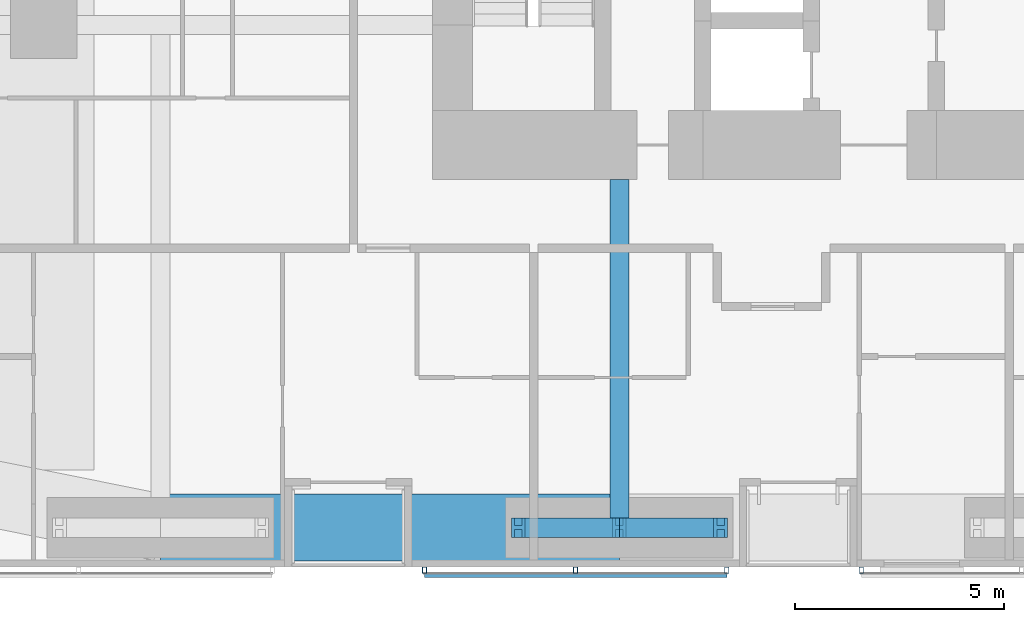
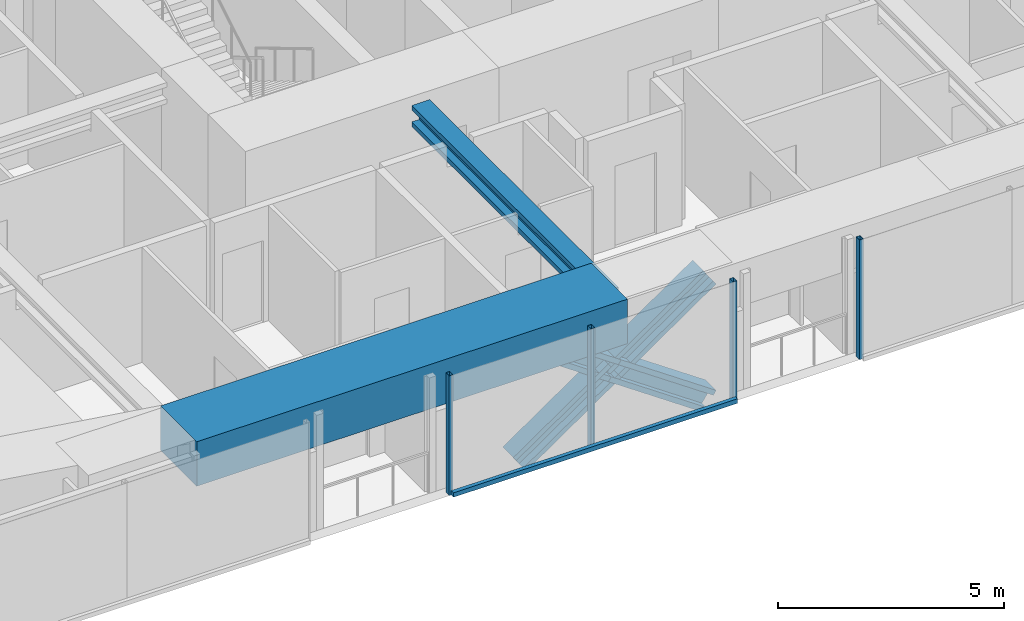
# One storey, part 4 of 23: 9 members, 2 beams, 2 elements without a shape of their own.
"""IFC4 building model written with IfcOpenShell, lengths in metres."""

from ifc_helpers import new_model, si_unit, direction, frame, origin, origin_2d, place, context, subcontext, project, spatial, rectangle, hollow_rectangle, i_section, extrude, material, material_profile, profile_set, type_object, element, aggregate, save


model = new_model("IFC4")

# Units and contexts
model_context = context("Model", 3, precision=1e-05, world=origin(), true_north=direction((0.0, 1.0)))
body_context = subcontext(model_context, "Body", "Model", "MODEL_VIEW")
ifc_project = project(units=[si_unit("LENGTHUNIT", "METRE"), si_unit("AREAUNIT", "SQUARE_METRE"), si_unit("VOLUMEUNIT", "CUBIC_METRE"), si_unit("PLANEANGLEUNIT", "RADIAN"), si_unit("MASSUNIT", "GRAM", prefix="KILO")], contexts=[model_context])

# Site, building, storey
site_placement = place(None, origin())
site = spatial("IfcSite", under=ifc_project, at=site_placement, CompositionType="ELEMENT")
building_placement = place(site_placement, origin())
building = spatial("IfcBuilding", under=site, at=building_placement, Name="Jalousie Tower", CompositionType="ELEMENT")
storey_placement = place(building_placement, frame((0.0, 0.0, 27.699951171875)))
storey = spatial("IfcBuildingStorey", under=building, at=storey_placement, Name="L06", CompositionType="ELEMENT", Elevation=27.699951171875)

# Beam
ifc_material_1 = material(Name="Steel ASTM A992 Grade 50", Category="steel")
ifc_material_profile_1 = material_profile(ifc_material_1, i_section(OverallWidth=0.45458984375, OverallDepth=0.569091796875, WebThickness=0.077880859375, FlangeThickness=0.124755859375, at=origin_2d()), Name="W14X730")
ifc_profile_set_1 = profile_set([ifc_material_profile_1], Name="Steel ASTM A992 Grade 50")
beam_type_1 = type_object("IfcBeamType", Name="LEAN COLLECTOR W14X730", PredefinedType="BEAM", material=ifc_profile_set_1)
beam_1_placement = place(storey_placement, frame((24.0, 0.949951171875, 2.825439453125), z_axis=(0.0, 1.0, 0.0), x_axis=(-1.0, 0.0, 0.0)))
element("IfcBeam", 1, at=beam_1_placement, inside=storey, type_object=beam_type_1, Name="Lean collector under L07", PredefinedType="BEAM", context=body_context, shape_type="SweptSolid", body=[
    extrude(i_section(OverallWidth=0.45458984375, OverallDepth=0.569091796875, WebThickness=0.077880859375, FlangeThickness=0.124755859375, at=origin_2d()), origin(), (0.0, 0.0, 1.0), 8.35009765625),
])

# Members
ifc_material_2 = material(Name="Steel ASTM A992 Grade 50", Category="steel")
ifc_material_profile_2 = material_profile(ifc_material_2, i_section(OverallWidth=0.472412109375, OverallDepth=0.5791015625, WebThickness=0.094970703125, FlangeThickness=0.1298828125, at=origin_2d()), Name="W14X808")
ifc_profile_set_2 = profile_set([ifc_material_profile_2], Name="Steel ASTM A992 Grade 50")
member_type_1 = type_object("IfcMemberType", Name="PERIMETER BRACE W14X808", PredefinedType="BRACE", material=ifc_profile_set_2)
for number, where, z_axis, x_axis, name in (
    (2, (21.574951171875, 0.949951171875, -0.599853515625), (0.82283879777, 0.0, 0.568274856811), (0.0, 1.0, 0.0), "Perimeter brace 03 L06 part 1"),
    (3, (24.0, 0.949951171875, 1.074951171875), (0.822800062329, 0.0, 0.568330940062), (0.0, 1.0, 0.0), "Perimeter brace 03 L06 part 2"),
    (4, (26.425048828125, 0.949951171875, -0.599853515625), (-0.82283879777, 0.0, 0.568274856811), (0.0, -1.0, 0.0), "Perimeter brace 03 L06 part 3"),
    (5, (24.0, 0.949951171875, 1.074951171875), (-0.822800062329, 0.0, 0.568330940062), (0.0, -1.0, 0.0), "Perimeter brace 03 L06 part 4"),
):
    element("IfcMember", number, at=place(storey_placement, frame(where, z_axis=z_axis, x_axis=x_axis)), inside=storey, type_object=member_type_1, Name=name, PredefinedType="BRACE", context=body_context, shape_type="SweptSolid", body=[
        extrude(i_section(OverallWidth=0.472412109375, OverallDepth=0.5791015625, WebThickness=0.094970703125, FlangeThickness=0.1298828125, at=origin_2d()), origin(), (0.0, 0.0, 1.0), 2.947265625),
    ])

# Beam
ifc_material_3 = material(Name="Concrete f'c 40 MPa", Category="concrete")
ifc_material_profile_3 = material_profile(ifc_material_3, rectangle(XDim=1.60009765625, YDim=1.199951171875, at=origin_2d()), Name="RC 1600x1200")
ifc_profile_set_3 = profile_set([ifc_material_profile_3], Name="Concrete f'c 40 MPa")
beam_type_2 = type_object("IfcBeamType", Name="RC BEAM 1600x1200", PredefinedType="BEAM", material=ifc_profile_set_3)
beam_2_placement = place(storey_placement, frame((13.0, 0.949951171875, 2.75), z_axis=(1.0, 0.0, 0.0), x_axis=(0.0, 1.0, 0.0)))
element("IfcBeam", 6, at=beam_2_placement, inside=storey, type_object=beam_type_2, Name="Edge band beam 02-03 under L07", PredefinedType="BEAM", context=body_context, shape_type="SweptSolid", body=[
    extrude(rectangle(XDim=1.60009765625, YDim=1.199951171875, at=origin_2d()), origin(), (0.0, 0.0, 1.0), 11.0),
])

# Curtain wall, members
ifc_material_4 = material(Name="Perforated aluminium sheet", Category="aluminium")
curtain_wall_type = type_object("IfcCurtainWallType", Name="SOLAR SCREEN SS-1", PredefinedType="USERDEFINED", material=ifc_material_4)
curtain_wall_1_placement = place(storey_placement, origin())
curtain_wall_1 = element("IfcCurtainWall", 7, at=curtain_wall_1_placement, inside=storey, type_object=curtain_wall_type, Name="Solar screen L06", ObjectType="SOLAR SCREEN SS-1", PredefinedType="USERDEFINED")
ifc_material_5 = material(Name="Steel ASTM A500 Grade C", Category="steel")
ifc_material_profile_4 = material_profile(ifc_material_5, hollow_rectangle(XDim=0.1015625, YDim=0.15234375, WallThickness=0.00634765625, at=origin_2d()), Name="HSS6X4X1/4")
ifc_profile_set_4 = profile_set([ifc_material_profile_4], Name="Steel ASTM A500 Grade C")
member_type_2 = type_object("IfcMemberType", Name="SOLAR SCREEN SS-1 MULLION", PredefinedType="MULLION", material=ifc_profile_set_4)
member_1_placement = place(storey_placement, frame((19.324951171875, -0.0712890625, -0.119873046875), z_axis=(0.0, 0.0, 1.0), x_axis=(1.0, 0.0, 0.0)))
member_1 = element("IfcMember", 8, at=member_1_placement, type_object=member_type_2, Name="SS1 post 1", PredefinedType="MULLION", context=body_context, shape_type="SweptSolid", body=[
    extrude(hollow_rectangle(XDim=0.1015625, YDim=0.15234375, WallThickness=0.00634765625, at=origin_2d()), origin(), (0.0, 0.0, 1.0), 3.22998046875),
])
member_2_placement = place(storey_placement, frame((22.949951171875, -0.0712890625, -0.119873046875), z_axis=(0.0, 0.0, 1.0), x_axis=(1.0, 0.0, 0.0)))
member_2 = element("IfcMember", 9, at=member_2_placement, type_object=member_type_2, Name="SS1 post 2", PredefinedType="MULLION", context=body_context, shape_type="SweptSolid", body=[
    extrude(hollow_rectangle(XDim=0.1015625, YDim=0.15234375, WallThickness=0.00634765625, at=origin_2d()), origin(), (0.0, 0.0, 1.0), 3.22998046875),
])
member_3_placement = place(storey_placement, frame((26.574951171875, -0.0712890625, -0.119873046875), z_axis=(0.0, 0.0, 1.0), x_axis=(1.0, 0.0, 0.0)))
member_3 = element("IfcMember", 10, at=member_3_placement, type_object=member_type_2, Name="SS1 post 3", PredefinedType="MULLION", context=body_context, shape_type="SweptSolid", body=[
    extrude(hollow_rectangle(XDim=0.1015625, YDim=0.15234375, WallThickness=0.00634765625, at=origin_2d()), origin(), (0.0, 0.0, 1.0), 3.22998046875),
])

# Curtain wall, member
curtain_wall_2_placement = place(storey_placement, origin())
curtain_wall_2 = element("IfcCurtainWall", 11, at=curtain_wall_2_placement, inside=storey, type_object=curtain_wall_type, Name="Solar screen L06", ObjectType="SOLAR SCREEN SS-1", PredefinedType="USERDEFINED")
member_4_placement = place(storey_placement, frame((29.800048828125, -0.0712890625, -0.119873046875), z_axis=(0.0, 0.0, 1.0), x_axis=(1.0, 0.0, 0.0)))
member_4 = element("IfcMember", 12, at=member_4_placement, type_object=member_type_2, Name="SS1 post 1", PredefinedType="MULLION", context=body_context, shape_type="SweptSolid", body=[
    extrude(hollow_rectangle(XDim=0.1015625, YDim=0.15234375, WallThickness=0.00634765625, at=origin_2d()), origin(), (0.0, 0.0, 1.0), 3.22998046875),
])
aggregate(curtain_wall_2, [member_4])

# Member
ifc_material_6 = material(Name="Extruded aluminium screen rail", Category="aluminium")
ifc_material_profile_5 = material_profile(ifc_material_6, rectangle(XDim=0.1015625, YDim=0.1201171875, at=origin_2d()), Name="RAIL 102x120")
ifc_profile_set_5 = profile_set([ifc_material_profile_5], Name="Extruded aluminium screen rail")
member_type_3 = type_object("IfcMemberType", Name="SOLAR SCREEN SS-1 TRANSOM", PredefinedType="USERDEFINED", material=ifc_profile_set_5)
member_5_placement = place(storey_placement, frame((19.324951171875, -0.1982421875, -0.06005859375), z_axis=(1.0, 0.0, 0.0), x_axis=(0.0, 1.0, 0.0)))
member_5 = element("IfcMember", 13, at=member_5_placement, type_object=member_type_3, Name="SS1 rail", ObjectType="TRANSOM", PredefinedType="USERDEFINED", context=body_context, shape_type="SweptSolid", body=[
    extrude(rectangle(XDim=0.1015625, YDim=0.1201171875, at=origin_2d()), origin(), (0.0, 0.0, 1.0), 7.25),
])

aggregate(curtain_wall_1, [member_1, member_2, member_3, member_5])

save(model, "model.ifc")
